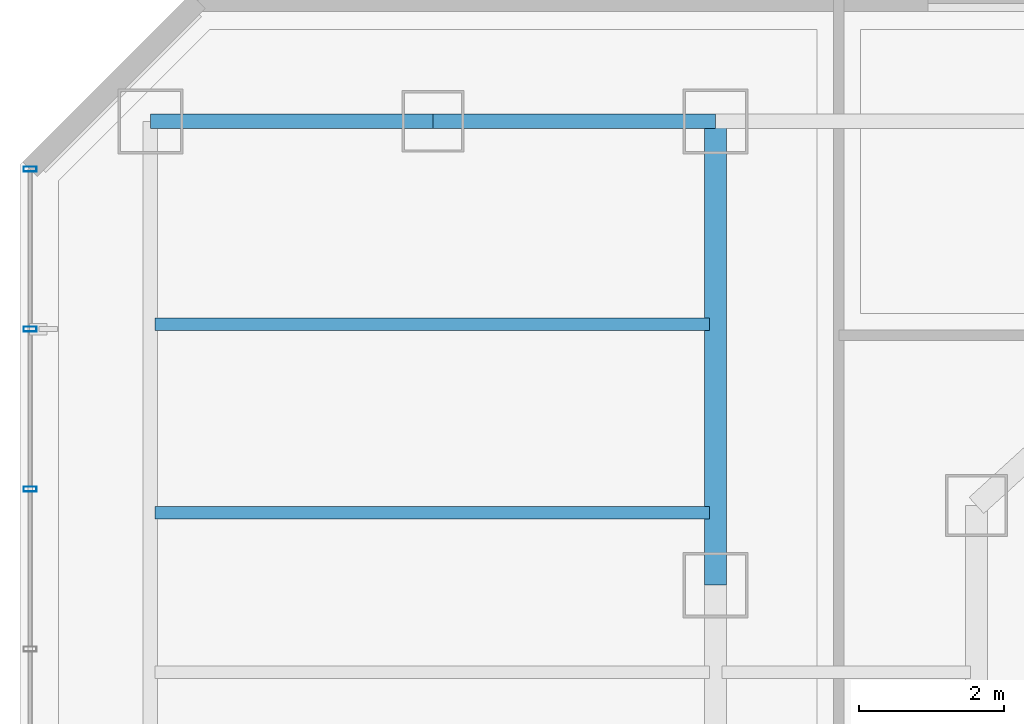
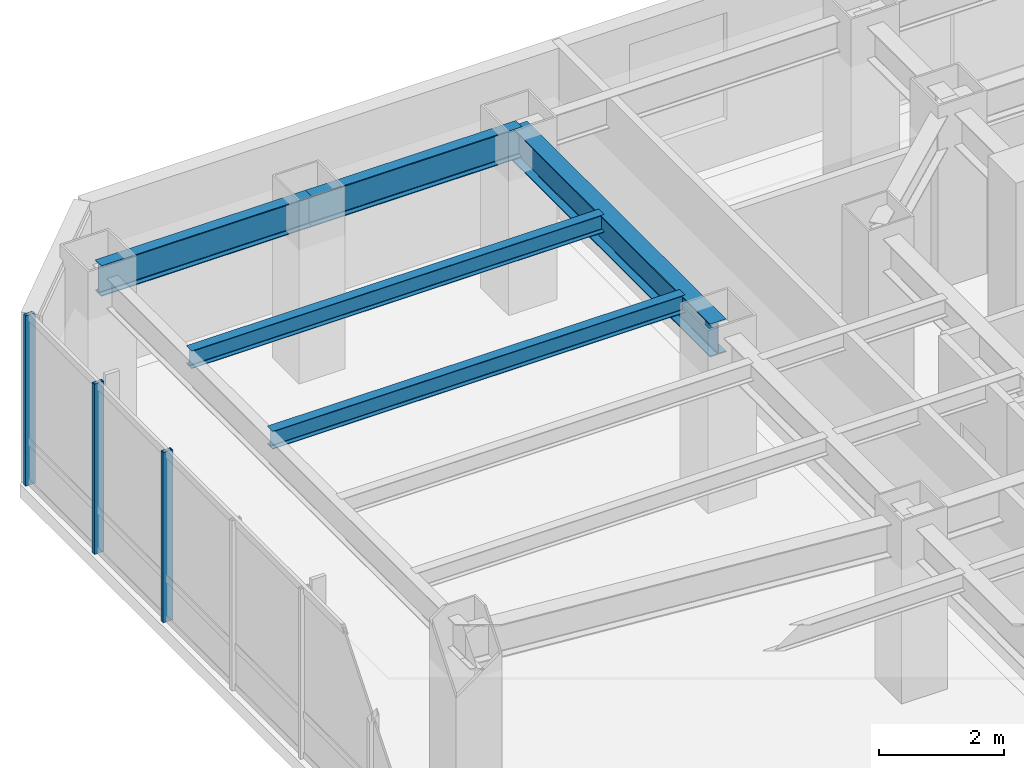
# One storey, part 17 of 29: 5 beams, 3 members, 1 element without a shape of its own.
"""IFC4 building model written with IfcOpenShell, lengths in metres."""

from ifc_helpers import new_model, si_unit, direction, frame, origin, origin_2d, place, context, subcontext, project, spatial, hollow_rectangle, i_section, extrude, material, layer, layer_set, material_profile, profile_set, type_object, element, aggregate, save


model = new_model("IFC4")

# Units and contexts
model_context = context("Model", 3, precision=1e-05, world=origin(), true_north=direction((0.0, 1.0)))
body_context = subcontext(model_context, "Body", "Model", "MODEL_VIEW")
ifc_project = project(units=[si_unit("LENGTHUNIT", "METRE"), si_unit("AREAUNIT", "SQUARE_METRE"), si_unit("VOLUMEUNIT", "CUBIC_METRE"), si_unit("PLANEANGLEUNIT", "RADIAN"), si_unit("MASSUNIT", "GRAM", prefix="KILO")], contexts=[model_context])

# Site, building, storey
site_placement = place(None, origin())
site = spatial("IfcSite", under=ifc_project, at=site_placement, CompositionType="ELEMENT")
building_placement = place(site_placement, origin())
building = spatial("IfcBuilding", under=site, at=building_placement, Name="Hatsunagi Terrace Concourse", CompositionType="ELEMENT")
storey_placement = place(building_placement, frame((0.0, 0.0, 126.449951171875)))
storey = spatial("IfcBuildingStorey", under=building, at=storey_placement, Name="L33", CompositionType="ELEMENT", Elevation=126.449951171875)

# Curtain wall, members
ifc_material_1 = material(Name="Anodised Aluminium Alloy 6063-T5", Category="aluminium")
ifc_layer = layer(ifc_material_1, 0.199951171875)
ifc_layer_set = layer_set([ifc_layer], Name="OfficeZone1_CW03")
curtain_wall_type = type_object("IfcCurtainWallType", Name="OfficeZone1_CW03", PredefinedType="NOTDEFINED", material=ifc_layer_set)
curtain_wall_placement = place(storey_placement, origin())
curtain_wall = element("IfcCurtainWall", 1, at=curtain_wall_placement, inside=storey, type_object=curtain_wall_type, Name="Unitised Curtain Wall CW-03 CW-L33-09", PredefinedType="NOTDEFINED")
ifc_material_2 = material(Name="Anodised Aluminium Alloy 6063-T5", Category="aluminium")
ifc_material_profile_1 = material_profile(ifc_material_2, hollow_rectangle(XDim=0.070068359375, YDim=0.179931640625, WallThickness=0.00390625, at=origin_2d()), Name="ALU-MUL-180x70x4")
ifc_profile_set_1 = profile_set([ifc_material_profile_1], Name="Anodised Aluminium Alloy 6063-T5")
member_type = type_object("IfcMemberType", Name="CurtainWallMullion_180x70", PredefinedType="MULLION", material=ifc_profile_set_1)
member_1_placement = place(storey_placement, frame((9.739990234375, 43.52490234375, 0.0), z_axis=(0.0, 0.0, 1.0), x_axis=(0.0, 1.0, 0.0)))
member_1 = element("IfcMember", 2, at=member_1_placement, type_object=member_type, Name="Curtain Wall Mullion MUL-02", PredefinedType="MULLION", context=body_context, shape_type="SweptSolid", body=[
    extrude(hollow_rectangle(XDim=0.070068359375, YDim=0.179931640625, WallThickness=0.00390625, at=origin_2d()), origin(), (0.0, 0.0, 1.0), 3.340087890625),
])
member_2_placement = place(storey_placement, frame((9.739990234375, 45.73388671875, 0.0), z_axis=(0.0, 0.0, 1.0), x_axis=(0.0, 1.0, 0.0)))
member_2 = element("IfcMember", 3, at=member_2_placement, type_object=member_type, Name="Curtain Wall Mullion MUL-02", PredefinedType="MULLION", context=body_context, shape_type="SweptSolid", body=[
    extrude(hollow_rectangle(XDim=0.070068359375, YDim=0.179931640625, WallThickness=0.00390625, at=origin_2d()), origin(), (0.0, 0.0, 1.0), 3.340087890625),
])
member_3_placement = place(storey_placement, frame((9.739990234375, 47.94189453125, 0.0), z_axis=(0.0, 0.0, 1.0), x_axis=(0.0, 1.0, 0.0)))
member_3 = element("IfcMember", 4, at=member_3_placement, type_object=member_type, Name="Curtain Wall Mullion MUL-02", PredefinedType="MULLION", context=body_context, shape_type="SweptSolid", body=[
    extrude(hollow_rectangle(XDim=0.070068359375, YDim=0.179931640625, WallThickness=0.00390625, at=origin_2d()), origin(), (0.0, 0.0, 1.0), 3.340087890625),
])
aggregate(curtain_wall, [member_1, member_2, member_3])

# Beams
ifc_material_3 = material(Name="Steel SN490B", Category="steel")
ifc_material_profile_2 = material_profile(ifc_material_3, i_section(OverallWidth=0.175048828125, OverallDepth=0.35009765625, WebThickness=0.007080078125, FlangeThickness=0.010986328125, FilletRadius=0.012939453125, at=origin_2d()), Name="H-350x175x7x11")
ifc_profile_set_2 = profile_set([ifc_material_profile_2], Name="Steel SN490B")
beam_type_1 = type_object("IfcBeamType", Name="HotelJoist_H_350x175", PredefinedType="JOIST", material=ifc_profile_set_2)
for number, where, z_axis, x_axis, name in (
    (5, (11.465087890625, 43.199951171875, 3.175048828125), (1.0, 0.0, 0.0), (0.0, 1.0, 0.0), "Beam J-02 J-L33-W-11-432"),
    (6, (11.465087890625, 45.800048828125, 3.175048828125), (1.0, 0.0, 0.0), (0.0, 1.0, 0.0), "Beam J-02 J-L33-W-11-458"),
):
    element("IfcBeam", number, at=place(storey_placement, frame(where, z_axis=z_axis, x_axis=x_axis)), inside=storey, type_object=beam_type_1, Name=name, PredefinedType="JOIST", context=body_context, shape_type="SweptSolid", body=[
        extrude(i_section(OverallWidth=0.175048828125, OverallDepth=0.35009765625, WebThickness=0.007080078125, FlangeThickness=0.010986328125, FilletRadius=0.012939453125, at=origin_2d()), origin(), (0.0, 0.0, 1.0), 7.64990234375),
    ])
ifc_material_4 = material(Name="Steel SN490B", Category="steel")
ifc_material_profile_3 = material_profile(ifc_material_4, i_section(OverallWidth=0.300048828125, OverallDepth=0.64990234375, WebThickness=0.012939453125, FlangeThickness=0.02197265625, FilletRadius=0.01806640625, at=origin_2d()), Name="H-650x300x13x22")
ifc_profile_set_3 = profile_set([ifc_material_profile_3], Name="Steel SN490B")
beam_type_2 = type_object("IfcBeamType", Name="OfficeLowGirder_H_650x300", PredefinedType="BEAM", material=ifc_profile_set_3)
beam_1_placement = place(storey_placement, frame((19.199951171875, 42.199951171875, 3.025146484375), z_axis=(0.0, 1.0, 0.0), x_axis=(-1.0, 0.0, 0.0)))
element("IfcBeam", 7, at=beam_1_placement, inside=storey, type_object=beam_type_2, Name="Beam G-05 BM-L33-NS-19-42", PredefinedType="BEAM", context=body_context, shape_type="SweptSolid", body=[
    extrude(i_section(OverallWidth=0.300048828125, OverallDepth=0.64990234375, WebThickness=0.012939453125, FlangeThickness=0.02197265625, FilletRadius=0.01806640625, at=origin_2d()), origin(), (0.0, 0.0, 1.0), 6.400146484375),
])
ifc_material_5 = material(Name="Steel SN490B", Category="steel")
ifc_material_profile_4 = material_profile(ifc_material_5, i_section(OverallWidth=0.199951171875, OverallDepth=0.60009765625, WebThickness=0.010986328125, FlangeThickness=0.01708984375, FilletRadius=0.01806640625, at=origin_2d()), Name="H-600x200x11x17")
ifc_profile_set_4 = profile_set([ifc_material_profile_4], Name="Steel SN490B")
beam_type_3 = type_object("IfcBeamType", Name="PerimeterSpandrel_H_600x200", PredefinedType="SPANDREL", material=ifc_profile_set_4)
beam_2_placement = place(storey_placement, frame((11.39990234375, 48.60009765625, 3.050048828125), z_axis=(1.0, 0.0, 0.0), x_axis=(0.0, 1.0, 0.0)))
element("IfcBeam", 8, at=beam_2_placement, inside=storey, type_object=beam_type_3, Name="Beam SP-01 BM-L33-WN-11", PredefinedType="SPANDREL", context=body_context, shape_type="SweptSolid", body=[
    extrude(i_section(OverallWidth=0.199951171875, OverallDepth=0.60009765625, WebThickness=0.010986328125, FlangeThickness=0.01708984375, FilletRadius=0.01806640625, at=origin_2d()), origin(), (0.0, 0.0, 1.0), 3.900146484375),
])
beam_3_placement = place(storey_placement, frame((15.300048828125, 48.60009765625, 3.050048828125), z_axis=(1.0, 0.0, 0.0), x_axis=(0.0, 1.0, 0.0)))
element("IfcBeam", 9, at=beam_3_placement, inside=storey, type_object=beam_type_3, Name="Beam SP-01 BM-L33-WN-15", PredefinedType="SPANDREL", context=body_context, shape_type="SweptSolid", body=[
    extrude(i_section(OverallWidth=0.199951171875, OverallDepth=0.60009765625, WebThickness=0.010986328125, FlangeThickness=0.01708984375, FilletRadius=0.01806640625, at=origin_2d()), origin(), (0.0, 0.0, 1.0), 3.89990234375),
])

save(model, "model.ifc")
